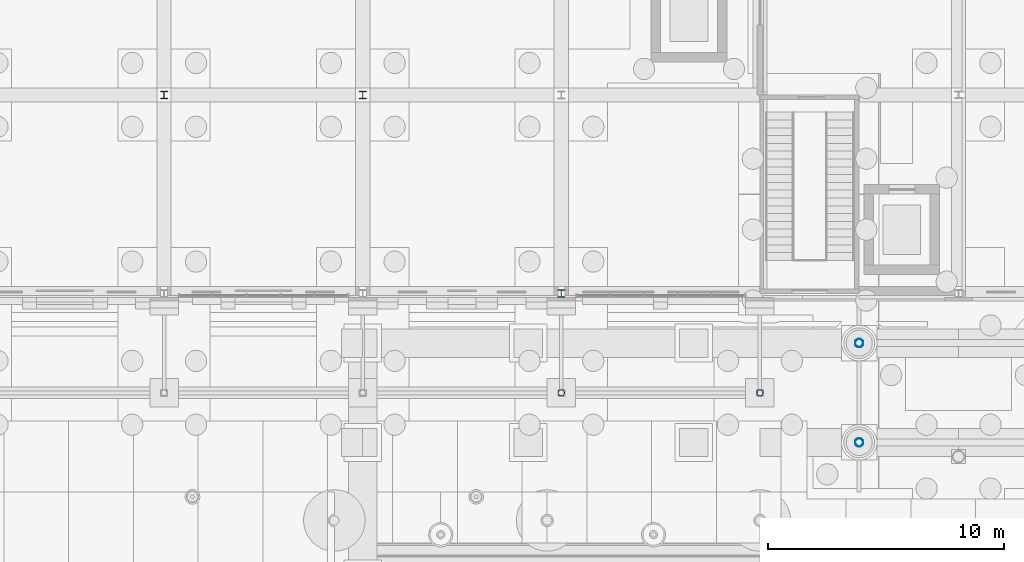
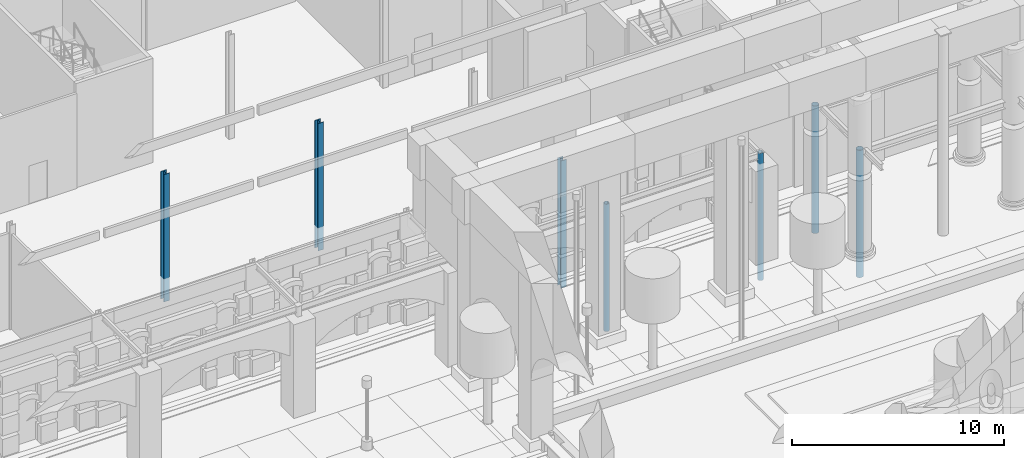
# One storey, part 10 of 222: 7 columns.
"""IFC4 building model written with IfcOpenShell, lengths in metres."""

from ifc_helpers import new_model, si_unit, direction, frame, origin, origin_2d, place, context, subcontext, project, spatial, hollow_circle, i_section, extrude, material, material_profile, profile_set, type_object, element, save


model = new_model("IFC4")

# Units and contexts
model_context = context("Model", 3, precision=1e-05, world=origin(), true_north=direction((0.0, 1.0)))
body_context = subcontext(model_context, "Body", "Model", "MODEL_VIEW")
ifc_project = project(units=[si_unit("LENGTHUNIT", "METRE"), si_unit("AREAUNIT", "SQUARE_METRE"), si_unit("VOLUMEUNIT", "CUBIC_METRE"), si_unit("PLANEANGLEUNIT", "RADIAN"), si_unit("MASSUNIT", "GRAM", prefix="KILO")], contexts=[model_context])

# Site, building, storey
site_placement = place(None, origin())
site = spatial("IfcSite", under=ifc_project, at=site_placement, CompositionType="ELEMENT")
building_placement = place(site_placement, origin())
building = spatial("IfcBuilding", under=site, at=building_placement, Name="Sava Quay Ferry Terminal", CompositionType="ELEMENT")
storey_placement = place(building_placement, origin())
storey = spatial("IfcBuildingStorey", under=building, at=storey_placement, Name="L00", CompositionType="ELEMENT", Elevation=0.0)

# Columns
ifc_material_1 = material(Name="Steel S355", Category="steel")
ifc_material_profile_1 = material_profile(ifc_material_1, hollow_circle(Radius=0.136474609375, WallThickness=0.012451171875, at=origin_2d()), Name="CHS 273 x 12.5")
ifc_profile_set_1 = profile_set([ifc_material_profile_1], Name="Steel S355")
column_type_1 = type_object("IfcColumnType", Name="Column CHS 273 x 12.5", PredefinedType="COLUMN", material=ifc_profile_set_1)
for number, where, z_axis, x_axis, name in (
    (1, (33.60009765625, 21.0, -1.35009765625), (0.0, 0.0, 1.0), (1.0, 0.0, 0.0), "Arcade column 33.6/21"),
    (2, (42.0, 21.0, -1.35009765625), (0.0, 0.0, 1.0), (1.0, 0.0, 0.0), "Arcade column 42/21"),
):
    element("IfcColumn", number, at=place(storey_placement, frame(where, z_axis=z_axis, x_axis=x_axis)), inside=storey, type_object=column_type_1, Name=name, PredefinedType="COLUMN", context=body_context, shape_type="SweptSolid", body=[
        extrude(hollow_circle(Radius=0.136474609375, WallThickness=0.012451171875, at=origin_2d()), origin(), (0.0, 0.0, 1.0), 7.35009765625),
    ])
ifc_material_2 = material(Name="Steel S355", Category="steel")
ifc_material_profile_2 = material_profile(ifc_material_2, hollow_circle(Radius=0.177734375, WallThickness=0.012451171875, at=origin_2d()), Name="CHS 355.6 x 12.5")
ifc_profile_set_2 = profile_set([ifc_material_profile_2], Name="Steel S355")
column_type_2 = type_object("IfcColumnType", Name="Column CHS 355.6 x 12.5", PredefinedType="COLUMN", material=ifc_profile_set_2)
for number, where, z_axis, x_axis, name in (
    (3, (46.199951171875, 18.89990234375, -1.35009765625), (0.0, 0.0, 1.0), (1.0, 0.0, 0.0), "Portico column 46.2/18.9"),
    (4, (46.199951171875, 23.10009765625, -1.35009765625), (0.0, 0.0, 1.0), (1.0, 0.0, 0.0), "Portico column 46.2/23.1"),
):
    element("IfcColumn", number, at=place(storey_placement, frame(where, z_axis=z_axis, x_axis=x_axis)), inside=storey, type_object=column_type_2, Name=name, PredefinedType="COLUMN", context=body_context, shape_type="SweptSolid", body=[
        extrude(hollow_circle(Radius=0.177734375, WallThickness=0.012451171875, at=origin_2d()), origin(), (0.0, 0.0, 1.0), 7.35009765625),
    ])
ifc_material_3 = material(Name="Steel S355", Category="steel")
ifc_material_profile_3 = material_profile(ifc_material_3, i_section(OverallWidth=0.300048828125, OverallDepth=0.320068359375, WebThickness=0.011474609375, FlangeThickness=0.0205078125, at=origin_2d()), Name="HE 320 B")
ifc_profile_set_3 = profile_set([ifc_material_profile_3], Name="Steel S355")
column_type_3 = type_object("IfcColumnType", Name="Column HE 320 B", PredefinedType="COLUMN", material=ifc_profile_set_3)
for number, where, z_axis, x_axis, name in (
    (5, (16.800048828125, 33.60009765625, -1.35009765625), (0.0, 0.0, 1.0), (1.0, 0.0, 0.0), "Column L00 16.8/33.6"),
    (6, (25.199951171875, 33.60009765625, -1.35009765625), (0.0, 0.0, 1.0), (1.0, 0.0, 0.0), "Column L00 25.2/33.6"),
    (7, (33.60009765625, 25.199951171875, -1.35009765625), (0.0, 0.0, 1.0), (1.0, 0.0, 0.0), "Column L00 33.6/25.2"),
):
    element("IfcColumn", number, at=place(storey_placement, frame(where, z_axis=z_axis, x_axis=x_axis)), inside=storey, type_object=column_type_3, Name=name, PredefinedType="COLUMN", context=body_context, shape_type="SweptSolid", body=[
        extrude(i_section(OverallWidth=0.300048828125, OverallDepth=0.320068359375, WebThickness=0.011474609375, FlangeThickness=0.0205078125, at=origin_2d()), origin(), (0.0, 0.0, 1.0), 7.35009765625),
    ])

save(model, "model.ifc")
